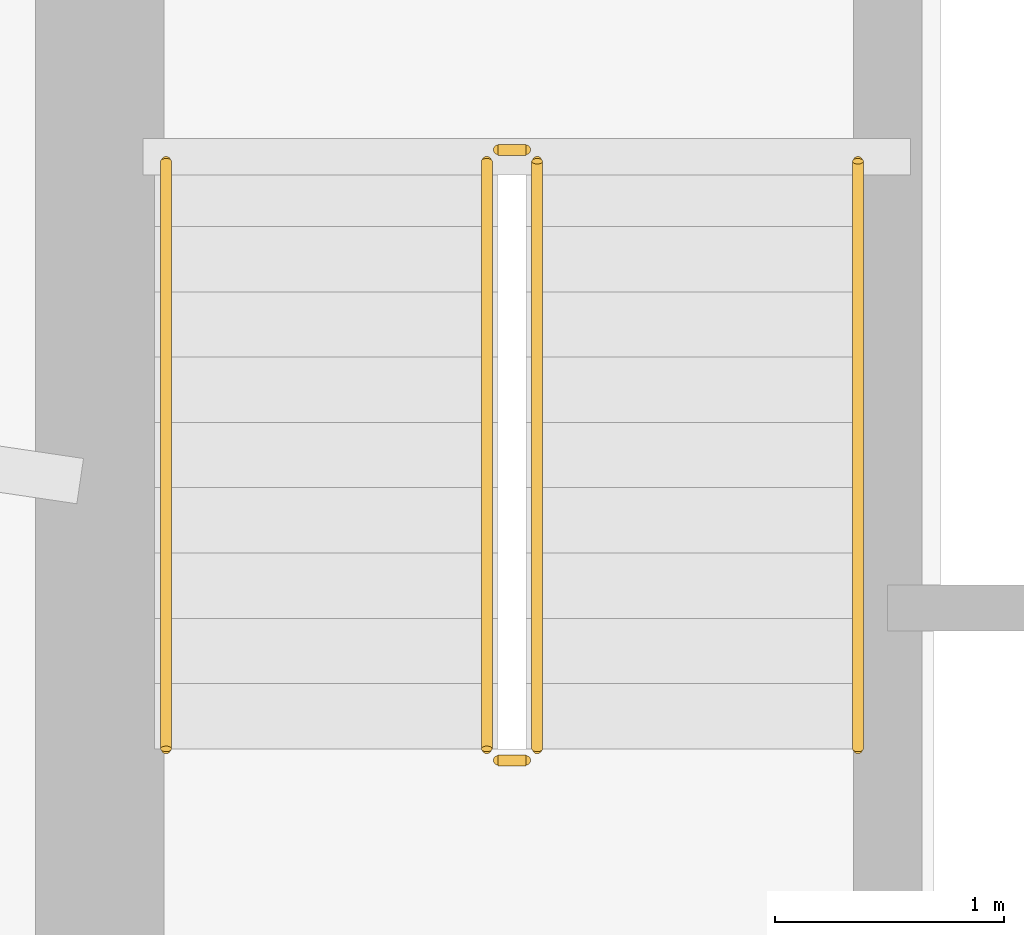
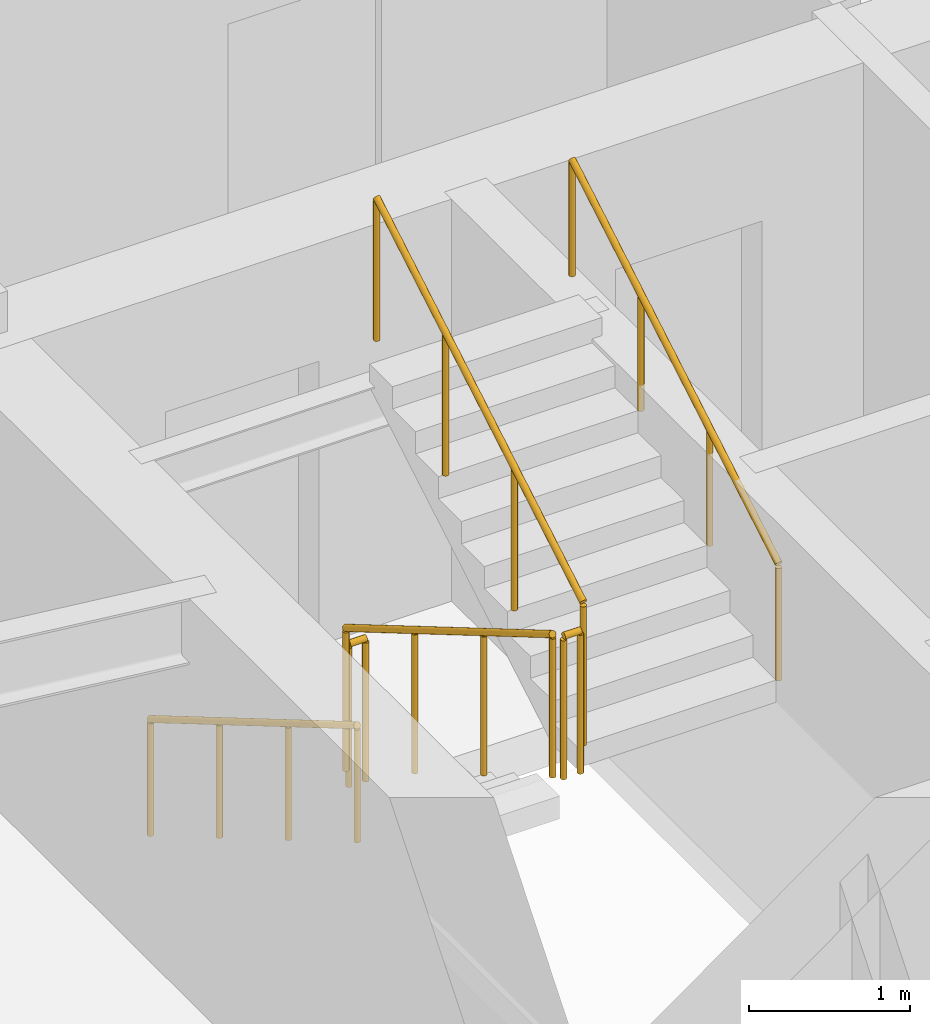
# One storey, part 21 of 23: 6 railings.
"""IFC4 building model written with IfcOpenShell, lengths in metres."""

from ifc_helpers import new_model, si_unit, direction, frame, origin, origin_2d, place, context, subcontext, project, spatial, circle, extrude, material, type_object, element, save


model = new_model("IFC4")

# Units and contexts
model_context = context("Model", 3, precision=1e-05, world=origin(), true_north=direction((0.0, 1.0)))
body_context = subcontext(model_context, "Body", "Model", "MODEL_VIEW")
ifc_project = project(units=[si_unit("LENGTHUNIT", "METRE"), si_unit("AREAUNIT", "SQUARE_METRE"), si_unit("VOLUMEUNIT", "CUBIC_METRE"), si_unit("PLANEANGLEUNIT", "RADIAN"), si_unit("MASSUNIT", "GRAM", prefix="KILO")], contexts=[model_context])

# Site, building, storey
site_placement = place(None, origin())
site = spatial("IfcSite", under=ifc_project, at=site_placement, CompositionType="ELEMENT")
building_placement = place(site_placement, origin())
building = spatial("IfcBuilding", under=site, at=building_placement, Name="Qobustan Lattice House", CompositionType="ELEMENT")
storey_placement = place(building_placement, frame((0.0, 0.0, 102.449951171875)))
storey = spatial("IfcBuildingStorey", under=building, at=storey_placement, Name="L28", CompositionType="ELEMENT", Elevation=102.449951171875)

# Railings
ifc_material_1 = material(Name="Brushed stainless steel handrail", Category="steel")
railing_type_1 = type_object("IfcRailingType", Name="RAL-HR-920", PredefinedType="HANDRAIL", material=ifc_material_1)
railing_1_placement = place(storey_placement, frame((-18.199951171875, 3.5, 0.16748046875)))
element("IfcRailing", 1, at=railing_1_placement, inside=storey, type_object=railing_type_1, Name="L28 ST-W1 stair handrail 1", PredefinedType="HANDRAIL", context=body_context, shape_type="SweptSolid", body=[
    extrude(circle(Radius=0.02392578125, at=origin_2d()), frame((0.0, 0.0, 0.8759765625), z_axis=(0.0, -0.862113467892, 0.50671527358), x_axis=(1.0, 0.0, 0.0)), (0.0, 0.0, 1.0), 2.97509765625),
    extrude(circle(Radius=0.02099609375, at=origin_2d()), origin(), (0.0, 0.0, 1.0), 0.851806640625),
    extrude(circle(Radius=0.02099609375, at=origin_2d()), frame((0.0, -0.85498046875, 0.50244140625)), (0.0, 0.0, 1.0), 0.851806640625),
    extrude(circle(Radius=0.02099609375, at=origin_2d()), frame((0.0, -1.7099609375, 1.005126953125)), (0.0, 0.0, 1.0), 0.851806640625),
    extrude(circle(Radius=0.02099609375, at=origin_2d()), frame((0.0, -2.56494140625, 1.507568359375)), (0.0, 0.0, 1.0), 0.851806640625),
])
railing_2_placement = place(storey_placement, frame((-15.179931640625, 0.93505859375, 1.842529296875)))
element("IfcRailing", 2, at=railing_2_placement, inside=storey, type_object=railing_type_1, Name="L28 ST-W1 stair handrail 2", PredefinedType="HANDRAIL", context=body_context, shape_type="SweptSolid", body=[
    extrude(circle(Radius=0.02392578125, at=origin_2d()), frame((0.0, 0.0, 0.8759765625), z_axis=(0.0, 0.862113467892, 0.50671527358), x_axis=(-1.0, 0.0, 0.0)), (0.0, 0.0, 1.0), 2.97509765625),
    extrude(circle(Radius=0.02099609375, at=origin_2d()), origin(), (0.0, 0.0, 1.0), 0.851806640625),
    extrude(circle(Radius=0.02099609375, at=origin_2d()), frame((0.0, 0.85498046875, 0.50244140625)), (0.0, 0.0, 1.0), 0.851806640625),
    extrude(circle(Radius=0.02099609375, at=origin_2d()), frame((0.0, 1.7099609375, 1.005126953125)), (0.0, 0.0, 1.0), 0.851806640625),
    extrude(circle(Radius=0.02099609375, at=origin_2d()), frame((0.0, 2.56494140625, 1.507568359375)), (0.0, 0.0, 1.0), 0.851806640625),
])
ifc_material_2 = material(Name="Painted galvanized steel guardrail", Category="steel")
railing_type_2 = type_object("IfcRailingType", Name="RAL-STG-1150", PredefinedType="GUARDRAIL", material=ifc_material_2)
railing_3_placement = place(storey_placement, frame((-16.800048828125, 3.5, 0.16748046875)))
element("IfcRailing", 3, at=railing_3_placement, inside=storey, type_object=railing_type_2, Name="L28 ST-W1 stair guard 1", PredefinedType="GUARDRAIL", context=body_context, shape_type="SweptSolid", body=[
    extrude(circle(Radius=0.02392578125, at=origin_2d()), frame((0.0, 0.0, 1.076171875), z_axis=(0.0, -0.862113467892, 0.50671527358), x_axis=(1.0, 0.0, 0.0)), (0.0, 0.0, 1.0), 2.97509765625),
    extrude(circle(Radius=0.02099609375, at=origin_2d()), origin(), (0.0, 0.0, 1.0), 1.052001953125),
    extrude(circle(Radius=0.02099609375, at=origin_2d()), frame((0.0, -0.85498046875, 0.50244140625)), (0.0, 0.0, 1.0), 1.052001953125),
    extrude(circle(Radius=0.02099609375, at=origin_2d()), frame((0.0, -1.7099609375, 1.005126953125)), (0.0, 0.0, 1.0), 1.052001953125),
    extrude(circle(Radius=0.02099609375, at=origin_2d()), frame((0.0, -2.56494140625, 1.507568359375)), (0.0, 0.0, 1.0), 1.052001953125),
])
railing_4_placement = place(storey_placement, frame((-16.75, 0.885009765625, 1.675048828125)))
element("IfcRailing", 4, at=railing_4_placement, inside=storey, type_object=railing_type_2, Name="L28 ST-W1 stair guard 2", PredefinedType="GUARDRAIL", context=body_context, shape_type="SweptSolid", body=[
    extrude(circle(Radius=0.02392578125, at=origin_2d()), frame((0.0, 0.0, 1.076171875), z_axis=(1.0, 0.0, 0.0), x_axis=(0.0, 1.0, 0.0)), (0.0, 0.0, 1.0), 0.1201171875),
    extrude(circle(Radius=0.02099609375, at=origin_2d()), origin(), (0.0, 0.0, 1.0), 1.052001953125),
    extrude(circle(Radius=0.02099609375, at=origin_2d()), frame((0.1201171875, 0.0, 0.0)), (0.0, 0.0, 1.0), 1.052001953125),
])
railing_5_placement = place(storey_placement, frame((-16.580078125, 0.93505859375, 1.842529296875)))
element("IfcRailing", 5, at=railing_5_placement, inside=storey, type_object=railing_type_2, Name="L28 ST-W1 stair guard 3", PredefinedType="GUARDRAIL", context=body_context, shape_type="SweptSolid", body=[
    extrude(circle(Radius=0.02392578125, at=origin_2d()), frame((0.0, 0.0, 1.076171875), z_axis=(0.0, 0.862113467892, 0.50671527358), x_axis=(-1.0, 0.0, 0.0)), (0.0, 0.0, 1.0), 2.97509765625),
    extrude(circle(Radius=0.02099609375, at=origin_2d()), origin(), (0.0, 0.0, 1.0), 1.052001953125),
    extrude(circle(Radius=0.02099609375, at=origin_2d()), frame((0.0, 0.85498046875, 0.50244140625)), (0.0, 0.0, 1.0), 1.052001953125),
    extrude(circle(Radius=0.02099609375, at=origin_2d()), frame((0.0, 1.7099609375, 1.005126953125)), (0.0, 0.0, 1.0), 1.052001953125),
    extrude(circle(Radius=0.02099609375, at=origin_2d()), frame((0.0, 2.56494140625, 1.507568359375)), (0.0, 0.0, 1.0), 1.052001953125),
])
railing_6_placement = place(storey_placement, frame((-16.75, 3.550048828125, 0.0)))
element("IfcRailing", 6, at=railing_6_placement, inside=storey, type_object=railing_type_2, Name="L28 ST-W1 stair guard 4", PredefinedType="GUARDRAIL", context=body_context, shape_type="SweptSolid", body=[
    extrude(circle(Radius=0.02392578125, at=origin_2d()), frame((0.0, 0.0, 1.076171875), z_axis=(1.0, 0.0, 0.0), x_axis=(0.0, 1.0, 0.0)), (0.0, 0.0, 1.0), 0.1201171875),
    extrude(circle(Radius=0.02099609375, at=origin_2d()), origin(), (0.0, 0.0, 1.0), 1.052001953125),
    extrude(circle(Radius=0.02099609375, at=origin_2d()), frame((0.1201171875, 0.0, 0.0)), (0.0, 0.0, 1.0), 1.052001953125),
])

save(model, "model.ifc")
